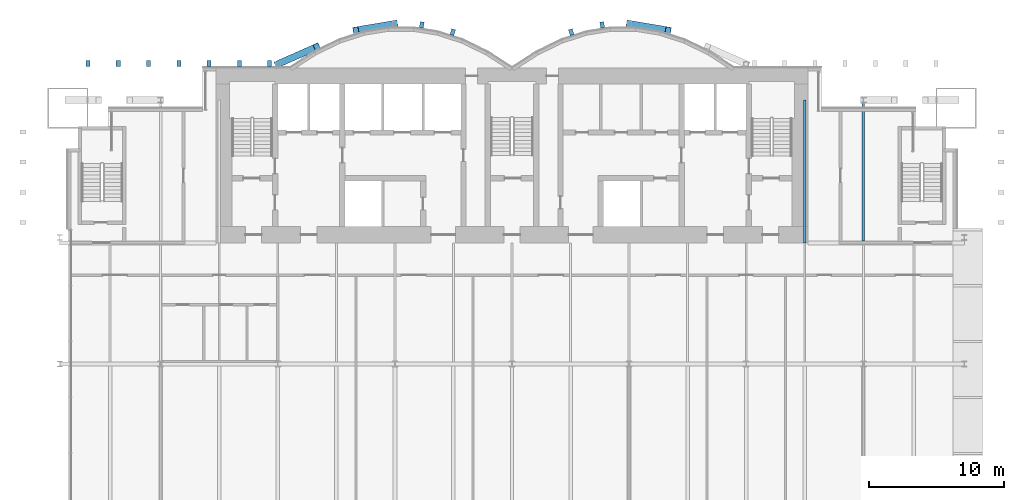
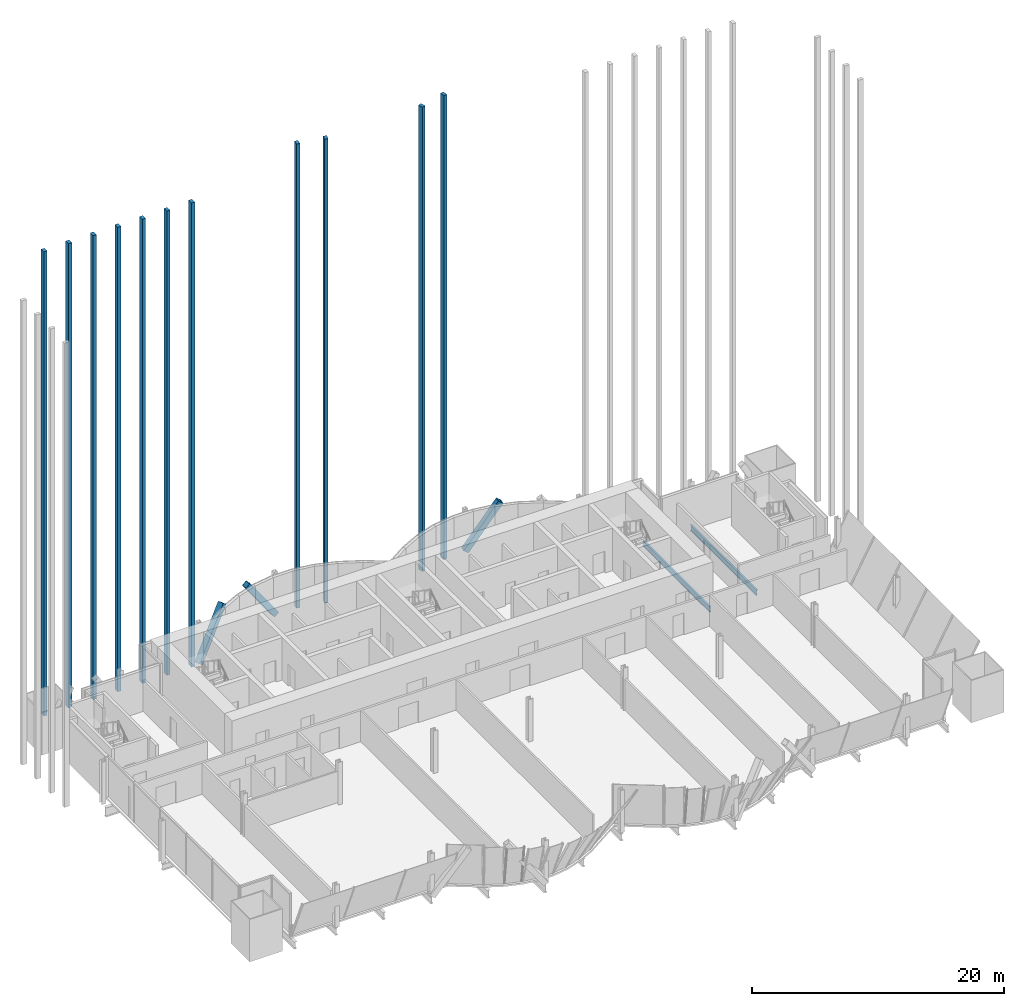
# One storey, part 10 of 22: 14 members, 2 beams, 5 elements without a shape of their own.
"""IFC4 building model written with IfcOpenShell, lengths in metres."""

from ifc_helpers import new_model, si_unit, direction, frame, origin, origin_2d, place, context, subcontext, project, spatial, rectangle, hollow_rectangle, i_section, extrude, material, material_profile, profile_set, type_object, element, aggregate, save


model = new_model("IFC4")

# Units and contexts
model_context = context("Model", 3, precision=1e-05, world=origin(), true_north=direction((0.0, 1.0)))
body_context = subcontext(model_context, "Body", "Model", "MODEL_VIEW")
ifc_project = project(units=[si_unit("LENGTHUNIT", "METRE"), si_unit("AREAUNIT", "SQUARE_METRE"), si_unit("VOLUMEUNIT", "CUBIC_METRE"), si_unit("PLANEANGLEUNIT", "RADIAN"), si_unit("MASSUNIT", "GRAM", prefix="KILO")], contexts=[model_context])

# Site, building, storey
site_placement = place(None, origin())
site = spatial("IfcSite", under=ifc_project, at=site_placement, CompositionType="ELEMENT")
building_placement = place(site_placement, origin())
building = spatial("IfcBuilding", under=site, at=building_placement, Name="Bicima Exchange Tower", CompositionType="ELEMENT")
storey_placement = place(building_placement, frame((0.0, 0.0, 89.89990234375)))
storey = spatial("IfcBuildingStorey", under=building, at=storey_placement, Name="L18", CompositionType="ELEMENT", Elevation=89.89990234375)

# Beams
ifc_material_1 = material(Name="Steel ASTM A992 Gr 50", Category="steel")
ifc_material_profile_1 = material_profile(ifc_material_1, i_section(OverallWidth=0.165771484375, OverallDepth=0.5283203125, WebThickness=0.009765625, FlangeThickness=0.013671875, at=origin_2d()))
ifc_profile_set_1 = profile_set([ifc_material_profile_1], Name="Steel ASTM A992 Gr 50")
beam_type = type_object("IfcBeamType", Name="Floor beam W21x50", PredefinedType="JOIST", material=ifc_profile_set_1)
beam_1_placement = place(storey_placement, frame((21.75, -2.39990234375, -0.4140625), z_axis=(0.0, -1.0, 0.0), x_axis=(1.0, 0.0, 0.0)))
element("IfcBeam", 1, at=beam_1_placement, inside=storey, type_object=beam_type, Name="Floor beam", PredefinedType="JOIST", context=body_context, shape_type="SweptSolid", body=[
    extrude(i_section(OverallWidth=0.165771484375, OverallDepth=0.5283203125, WebThickness=0.009765625, FlangeThickness=0.013671875, at=origin_2d()), origin(), (0.0, 0.0, 1.0), 10.60009765625),
])
beam_2_placement = place(storey_placement, frame((26.10009765625, -2.39990234375, -0.4140625), z_axis=(0.0, -1.0, 0.0), x_axis=(1.0, 0.0, 0.0)))
element("IfcBeam", 2, at=beam_2_placement, inside=storey, type_object=beam_type, Name="Floor beam", PredefinedType="JOIST", context=body_context, shape_type="SweptSolid", body=[
    extrude(i_section(OverallWidth=0.165771484375, OverallDepth=0.5283203125, WebThickness=0.009765625, FlangeThickness=0.013671875, at=origin_2d()), origin(), (0.0, 0.0, 1.0), 10.44775390625),
])

# Members
ifc_material_2 = material(Name="Steel ASTM A572 Gr 50", Category="steel")
ifc_material_profile_2 = material_profile(ifc_material_2, hollow_rectangle(XDim=0.508056640625, YDim=0.508056640625, WallThickness=0.0146484375, at=origin_2d()))
ifc_profile_set_2 = profile_set([ifc_material_profile_2], Name="Steel ASTM A572 Gr 50")
member_type_1 = type_object("IfcMemberType", Name="Mega brace HSS20x20x5/8", PredefinedType="BRACE", material=ifc_profile_set_2)
member_1_placement = place(storey_placement, frame((-17.39990234375, 0.278076171875, 0.0), z_axis=(0.559604503225, 0.246634919547, 0.79121047543), x_axis=(-0.403298774981, 0.915068357063, 0.0)))
element("IfcMember", 3, at=member_1_placement, inside=storey, type_object=member_type_1, Name="Mega brace rexo", PredefinedType="BRACE", context=body_context, shape_type="SweptSolid", body=[
    extrude(hollow_rectangle(XDim=0.508056640625, YDim=0.508056640625, WallThickness=0.0146484375, at=origin_2d()), origin(), (0.0, 0.0, 1.0), 5.18212890625),
])
for number, where, z_axis, x_axis, name in (
    (4, (-8.699951171875, 3.26904296875, 0.0), (-0.574791624013, -0.0962905406, 0.812614743132), (0.165220206918, -0.9862567025, 0.0), "Mega brace rexo"),
    (5, (8.699951171875, 3.26904296875, 0.0), (0.574791624013, -0.0962905406, 0.812614743132), (0.165220206918, 0.9862567025, 0.0), "Mega brace rexo"),
):
    element("IfcMember", number, at=place(storey_placement, frame(where, z_axis=z_axis, x_axis=x_axis)), inside=storey, type_object=member_type_1, Name=name, PredefinedType="BRACE", context=body_context, shape_type="SweptSolid", body=[
        extrude(hollow_rectangle(XDim=0.508056640625, YDim=0.508056640625, WallThickness=0.0146484375, at=origin_2d()), origin(), (0.0, 0.0, 1.0), 5.045654296875),
    ])

# Curtain wall, members
ifc_material_3 = material(Name="Anodised bronze aluminium", Category="aluminium")
curtain_wall_type = type_object("IfcCurtainWallType", Name="Rear blade screen", PredefinedType="NOTDEFINED", material=ifc_material_3)
curtain_wall_1_placement = place(storey_placement, origin())
curtain_wall_1 = element("IfcCurtainWall", 6, at=curtain_wall_1_placement, inside=storey, type_object=curtain_wall_type, Name="Rear blade screen L18-L28 W", PredefinedType="NOTDEFINED")
ifc_material_profile_3 = material_profile(ifc_material_3, rectangle(XDim=0.449951171875, YDim=0.300048828125, at=origin_2d()))
ifc_profile_set_3 = profile_set([ifc_material_profile_3], Name="Anodised bronze aluminium")
member_type_2 = type_object("IfcMemberType", Name="Rear blade fin 450 x 300", PredefinedType="USERDEFINED", material=ifc_profile_set_3)
member_2_placement = place(storey_placement, frame((-31.5, 0.324951171875, 0.0), z_axis=(0.0, 0.0, 1.0), x_axis=(0.0, 1.0, 0.0)))
member_2 = element("IfcMember", 7, at=member_2_placement, type_object=member_type_2, Name="Rear blade fin L18-L28 2", ObjectType="FIN", PredefinedType="USERDEFINED", context=body_context, shape_type="SweptSolid", body=[
    extrude(rectangle(XDim=0.449951171875, YDim=0.300048828125, at=origin_2d()), origin(), (0.0, 0.0, 1.0), 44.900146484375),
])
member_3_placement = place(storey_placement, frame((-29.25, 0.324951171875, 0.0), z_axis=(0.0, 0.0, 1.0), x_axis=(0.0, 1.0, 0.0)))
member_3 = element("IfcMember", 8, at=member_3_placement, type_object=member_type_2, Name="Rear blade fin L18-L28 3", ObjectType="FIN", PredefinedType="USERDEFINED", context=body_context, shape_type="SweptSolid", body=[
    extrude(rectangle(XDim=0.449951171875, YDim=0.300048828125, at=origin_2d()), origin(), (0.0, 0.0, 1.0), 44.900146484375),
])
member_4_placement = place(storey_placement, frame((-27.0, 0.324951171875, 0.0), z_axis=(0.0, 0.0, 1.0), x_axis=(0.0, 1.0, 0.0)))
member_4 = element("IfcMember", 9, at=member_4_placement, type_object=member_type_2, Name="Rear blade fin L18-L28 4", ObjectType="FIN", PredefinedType="USERDEFINED", context=body_context, shape_type="SweptSolid", body=[
    extrude(rectangle(XDim=0.449951171875, YDim=0.300048828125, at=origin_2d()), origin(), (0.0, 0.0, 1.0), 44.900146484375),
])
member_5_placement = place(storey_placement, frame((-24.75, 0.324951171875, 0.0), z_axis=(0.0, 0.0, 1.0), x_axis=(0.0, 1.0, 0.0)))
member_5 = element("IfcMember", 10, at=member_5_placement, type_object=member_type_2, Name="Rear blade fin L18-L28 5", ObjectType="FIN", PredefinedType="USERDEFINED", context=body_context, shape_type="SweptSolid", body=[
    extrude(rectangle(XDim=0.449951171875, YDim=0.300048828125, at=origin_2d()), origin(), (0.0, 0.0, 1.0), 44.900146484375),
])
member_6_placement = place(storey_placement, frame((-22.5, 0.324951171875, 0.0), z_axis=(0.0, 0.0, 1.0), x_axis=(0.0, 1.0, 0.0)))
member_6 = element("IfcMember", 11, at=member_6_placement, type_object=member_type_2, Name="Rear blade fin L18-L28 6", ObjectType="FIN", PredefinedType="USERDEFINED", context=body_context, shape_type="SweptSolid", body=[
    extrude(rectangle(XDim=0.449951171875, YDim=0.300048828125, at=origin_2d()), origin(), (0.0, 0.0, 1.0), 44.900146484375),
])
member_7_placement = place(storey_placement, frame((-20.25, 0.324951171875, 0.0), z_axis=(0.0, 0.0, 1.0), x_axis=(0.0, 1.0, 0.0)))
member_7 = element("IfcMember", 12, at=member_7_placement, type_object=member_type_2, Name="Rear blade fin L18-L28 7", ObjectType="FIN", PredefinedType="USERDEFINED", context=body_context, shape_type="SweptSolid", body=[
    extrude(rectangle(XDim=0.449951171875, YDim=0.300048828125, at=origin_2d()), origin(), (0.0, 0.0, 1.0), 44.900146484375),
])
member_8_placement = place(storey_placement, frame((-18.0, 0.324951171875, 0.0), z_axis=(0.0, 0.0, 1.0), x_axis=(0.0, 1.0, 0.0)))
member_8 = element("IfcMember", 13, at=member_8_placement, type_object=member_type_2, Name="Rear blade fin L18-L28 8", ObjectType="FIN", PredefinedType="USERDEFINED", context=body_context, shape_type="SweptSolid", body=[
    extrude(rectangle(XDim=0.449951171875, YDim=0.300048828125, at=origin_2d()), origin(), (0.0, 0.0, 1.0), 44.900146484375),
])
aggregate(curtain_wall_1, [member_2, member_3, member_4, member_5, member_6, member_7, member_8])

# Curtain wall, member
curtain_wall_2_placement = place(storey_placement, origin())
curtain_wall_2 = element("IfcCurtainWall", 14, at=curtain_wall_2_placement, inside=storey, type_object=curtain_wall_type, Name="Rear blade screen L18-L28 bay", PredefinedType="NOTDEFINED")
member_9_placement = place(storey_placement, frame((-6.697998046875, 3.189697265625, 0.0), z_axis=(0.0, 0.0, 1.0), x_axis=(0.159548663212, 0.987190064814, 0.0)))
member_9 = element("IfcMember", 15, at=member_9_placement, type_object=member_type_2, Name="Rear blade fin L18-L28 9", ObjectType="FIN", PredefinedType="USERDEFINED", context=body_context, shape_type="SweptSolid", body=[
    extrude(rectangle(XDim=0.449951171875, YDim=0.300048828125, at=origin_2d()), origin(), (0.0, 0.0, 1.0), 44.900146484375),
])
aggregate(curtain_wall_2, [member_9])

curtain_wall_3_placement = place(storey_placement, origin())
curtain_wall_3 = element("IfcCurtainWall", 16, at=curtain_wall_3_placement, inside=storey, type_object=curtain_wall_type, Name="Rear blade screen L18-L28 bay", PredefinedType="NOTDEFINED")
member_10_placement = place(storey_placement, frame((-4.39990234375, 2.652587890625, 0.0), z_axis=(0.0, 0.0, 1.0), x_axis=(0.307567537632, 0.951526252814, 0.0)))
member_10 = element("IfcMember", 17, at=member_10_placement, type_object=member_type_2, Name="Rear blade fin L18-L28 10", ObjectType="FIN", PredefinedType="USERDEFINED", context=body_context, shape_type="SweptSolid", body=[
    extrude(rectangle(XDim=0.449951171875, YDim=0.300048828125, at=origin_2d()), origin(), (0.0, 0.0, 1.0), 44.900146484375),
])
aggregate(curtain_wall_3, [member_10])

curtain_wall_4_placement = place(storey_placement, origin())
curtain_wall_4 = element("IfcCurtainWall", 18, at=curtain_wall_4_placement, inside=storey, type_object=curtain_wall_type, Name="Rear blade screen L18-L28 bay", PredefinedType="NOTDEFINED")
member_11_placement = place(storey_placement, frame((4.39990234375, 2.652587890625, 0.0), z_axis=(0.0, 0.0, 1.0), x_axis=(-0.307567537632, 0.951526252814, 0.0)))
member_11 = element("IfcMember", 19, at=member_11_placement, type_object=member_type_2, Name="Rear blade fin L18-L28 11", ObjectType="FIN", PredefinedType="USERDEFINED", context=body_context, shape_type="SweptSolid", body=[
    extrude(rectangle(XDim=0.449951171875, YDim=0.300048828125, at=origin_2d()), origin(), (0.0, 0.0, 1.0), 44.900146484375),
])
aggregate(curtain_wall_4, [member_11])

curtain_wall_5_placement = place(storey_placement, origin())
curtain_wall_5 = element("IfcCurtainWall", 20, at=curtain_wall_5_placement, inside=storey, type_object=curtain_wall_type, Name="Rear blade screen L18-L28 bay", PredefinedType="NOTDEFINED")
member_12_placement = place(storey_placement, frame((6.697998046875, 3.189697265625, 0.0), z_axis=(0.0, 0.0, 1.0), x_axis=(-0.159548663212, 0.987190064814, 0.0)))
member_12 = element("IfcMember", 21, at=member_12_placement, type_object=member_type_2, Name="Rear blade fin L18-L28 12", ObjectType="FIN", PredefinedType="USERDEFINED", context=body_context, shape_type="SweptSolid", body=[
    extrude(rectangle(XDim=0.449951171875, YDim=0.300048828125, at=origin_2d()), origin(), (0.0, 0.0, 1.0), 44.900146484375),
])
aggregate(curtain_wall_5, [member_12])

save(model, "model.ifc")
